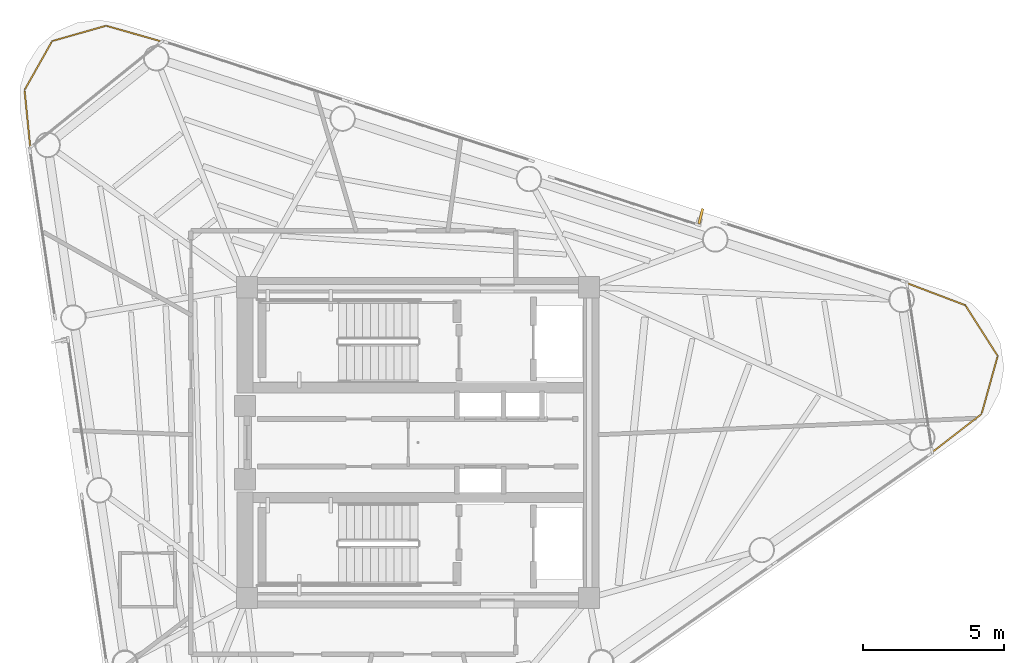
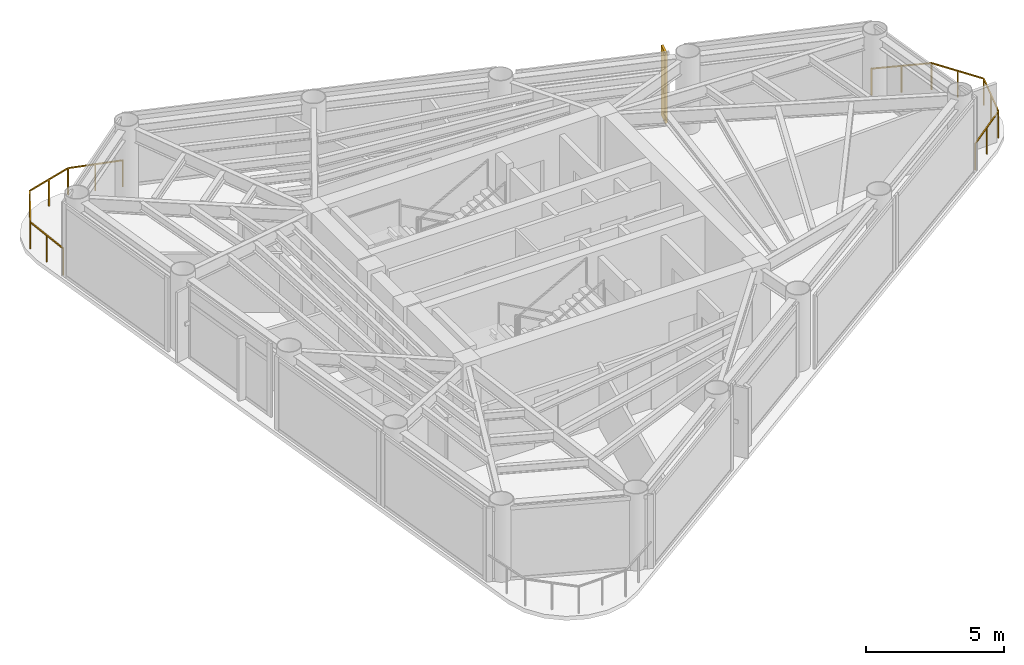
# One storey, part 9 of 9: 2 railings, 1 shading device.
"""IFC4 building model written with IfcOpenShell, lengths in metres."""

from ifc_helpers import new_model, si_unit, direction, frame, origin, origin_2d, place, context, subcontext, project, spatial, rectangle, extrude, source, transform, mapped, material, material_profile, profile_set, type_object, element, save


model = new_model("IFC4")

# Units and contexts
model_context = context("Model", 3, precision=1e-05, world=origin(), true_north=direction((0.0, 1.0)))
body_context = subcontext(model_context, "Body", "Model", "MODEL_VIEW")
ifc_project = project(units=[si_unit("LENGTHUNIT", "METRE"), si_unit("AREAUNIT", "SQUARE_METRE"), si_unit("VOLUMEUNIT", "CUBIC_METRE"), si_unit("PLANEANGLEUNIT", "RADIAN"), si_unit("MASSUNIT", "GRAM", prefix="KILO")], contexts=[model_context])

# Site, building, storey
site_placement = place(None, origin())
site = spatial("IfcSite", under=ifc_project, at=site_placement, CompositionType="ELEMENT")
building_placement = place(site_placement, origin())
building = spatial("IfcBuilding", under=site, at=building_placement, Name="Yunling Apex Tower", CompositionType="ELEMENT")
storey_placement = place(building_placement, frame((0.0, 0.0, 260.949951171875)))
storey = spatial("IfcBuildingStorey", under=building, at=storey_placement, Name="L63", CompositionType="ELEMENT", Elevation=260.949951171875)

# Railings
ifc_material = material(Name="Bronze anodised aluminium", Category="aluminium")
railing_type = type_object("IfcRailingType", Name="RL-BAL-1200", PredefinedType="BALUSTRADE", material=ifc_material)
railing_1_placement = place(storey_placement, frame((17.301513671875, 5.64208984375, 0.0)))
element("IfcRailing", 1, at=railing_1_placement, inside=storey, type_object=railing_type, Name="RL-CRNSILL-L63-1", PredefinedType="BALUSTRADE", context=body_context, shape_type="SweptSolid", body=[
    extrude(rectangle(XDim=0.0439453125, YDim=0.0439453125, at=origin_2d()), origin(), (0.0, 0.0, 1.0), 1.199951171875),
    extrude(rectangle(XDim=0.0439453125, YDim=0.0439453125, at=origin_2d()), frame((2.06103515625, -0.78125, 0.0)), (0.0, 0.0, 1.0), 1.199951171875),
    extrude(rectangle(XDim=0.050048828125, YDim=0.050048828125, at=origin_2d()), frame((0.035888671875, -0.013671875, 1.1748046875), z_axis=(0.935076028929, -0.354447203574, 0.0), x_axis=(0.354447203574, 0.935076028929, 0.0)), (0.0, 0.0, 1.0), 2.12744140625),
    extrude(rectangle(XDim=0.0439453125, YDim=0.0439453125, at=origin_2d()), frame((1.030517578125, -0.390625, 0.0)), (0.0, 0.0, 1.0), 1.14599609375),
    extrude(rectangle(XDim=0.0439453125, YDim=0.0439453125, at=origin_2d()), frame((3.207275390625, -2.576904296875, 0.0)), (0.0, 0.0, 1.0), 1.199951171875),
    extrude(rectangle(XDim=0.050048828125, YDim=0.050048828125, at=origin_2d()), frame((2.08154296875, -0.8134765625, 1.1748046875), z_axis=(0.538061440176, -0.842905621405, 0.0), x_axis=(0.842905621405, 0.538061440176, 0.0)), (0.0, 0.0, 1.0), 2.0537109375),
    extrude(rectangle(XDim=0.0439453125, YDim=0.0439453125, at=origin_2d()), frame((2.63427734375, -1.67919921875, 0.0)), (0.0, 0.0, 1.0), 1.14599609375),
    extrude(rectangle(XDim=0.0439453125, YDim=0.0439453125, at=origin_2d()), frame((2.63623046875, -4.62939453125, 0.0)), (0.0, 0.0, 1.0), 1.199951171875),
    extrude(rectangle(XDim=0.050048828125, YDim=0.050048828125, at=origin_2d()), frame((3.197021484375, -2.61376953125, 1.1748046875), z_axis=(-0.268039837369, -0.963407829314, 0.0), x_axis=(0.963407829314, -0.268039837369, 0.0)), (0.0, 0.0, 1.0), 2.0537109375),
    extrude(rectangle(XDim=0.0439453125, YDim=0.0439453125, at=origin_2d()), frame((2.921875, -3.60302734375, 0.0)), (0.0, 0.0, 1.0), 1.14599609375),
    extrude(rectangle(XDim=0.0439453125, YDim=0.0439453125, at=origin_2d()), frame((0.8935546875, -5.979248046875, 0.0)), (0.0, 0.0, 1.0), 1.199951171875),
    extrude(rectangle(XDim=0.050048828125, YDim=0.050048828125, at=origin_2d()), frame((2.60595703125, -4.65283203125, 1.1748046875), z_axis=(-0.790573223341, -0.612367519172, 0.0), x_axis=(0.612367519172, -0.790573223341, 0.0)), (0.0, 0.0, 1.0), 2.127685546875),
    extrude(rectangle(XDim=0.0439453125, YDim=0.0439453125, at=origin_2d()), frame((1.764892578125, -5.30419921875, 0.0)), (0.0, 0.0, 1.0), 1.14599609375),
])
railing_2_placement = place(storey_placement, frame((-13.722900390625, 10.44091796875, 0.0)))
element("IfcRailing", 2, at=railing_2_placement, inside=storey, type_object=railing_type, Name="RL-CRNSILL-L63-2", PredefinedType="BALUSTRADE", context=body_context, shape_type="SweptSolid", body=[
    extrude(rectangle(XDim=0.0439453125, YDim=0.0439453125, at=origin_2d()), origin(), (0.0, 0.0, 1.0), 1.199951171875),
    extrude(rectangle(XDim=0.0439453125, YDim=0.0439453125, at=origin_2d()), frame((-0.20361328125, 2.0341796875, 0.0)), (0.0, 0.0, 1.0), 1.199951171875),
    extrude(rectangle(XDim=0.050048828125, YDim=0.050048828125, at=origin_2d()), frame((-0.00390625, 0.0380859375, 1.1748046875), z_axis=(-0.099598310599, 0.995027726511, 0.0), x_axis=(-0.995027726511, -0.099598310599, 0.0)), (0.0, 0.0, 1.0), 1.9677734375),
    extrude(rectangle(XDim=0.0439453125, YDim=0.0439453125, at=origin_2d()), frame((-0.101806640625, 1.01708984375, 0.0)), (0.0, 0.0, 1.0), 1.14599609375),
    extrude(rectangle(XDim=0.0439453125, YDim=0.0439453125, at=origin_2d()), frame((0.774169921875, 3.7666015625, 0.0)), (0.0, 0.0, 1.0), 1.199951171875),
    extrude(rectangle(XDim=0.050048828125, YDim=0.050048828125, at=origin_2d()), frame((-0.184814453125, 2.067626953125, 1.1748046875), z_axis=(0.491519311586, 0.870866675409, 0.0), x_axis=(-0.870866675409, 0.491519311586, 0.0)), (0.0, 0.0, 1.0), 1.91259765625),
    extrude(rectangle(XDim=0.0439453125, YDim=0.0439453125, at=origin_2d()), frame((0.28515625, 2.900390625, 0.0)), (0.0, 0.0, 1.0), 1.14599609375),
    extrude(rectangle(XDim=0.0439453125, YDim=0.0439453125, at=origin_2d()), frame((2.68115234375, 4.3095703125, 0.0)), (0.0, 0.0, 1.0), 1.199951171875),
    extrude(rectangle(XDim=0.050048828125, YDim=0.050048828125, at=origin_2d()), frame((0.81103515625, 3.777099609375, 1.1748046875), z_axis=(0.961774454599, 0.273842835364, 0.0), x_axis=(-0.273842835364, 0.961774454599, 0.0)), (0.0, 0.0, 1.0), 1.906005859375),
    extrude(rectangle(XDim=0.0439453125, YDim=0.0439453125, at=origin_2d()), frame((1.7275390625, 4.0380859375, 0.0)), (0.0, 0.0, 1.0), 1.14599609375),
    extrude(rectangle(XDim=0.0439453125, YDim=0.0439453125, at=origin_2d()), frame((4.6484375, 3.7509765625, 0.0)), (0.0, 0.0, 1.0), 1.199951171875),
    extrude(rectangle(XDim=0.050048828125, YDim=0.050048828125, at=origin_2d()), frame((2.718017578125, 4.299072265625, 1.1748046875), z_axis=(0.961973149689, -0.273144026618, 0.0), x_axis=(0.273144026618, 0.961973149689, 0.0)), (0.0, 0.0, 1.0), 1.968505859375),
    extrude(rectangle(XDim=0.0439453125, YDim=0.0439453125, at=origin_2d()), frame((3.664794921875, 4.0302734375, 0.0)), (0.0, 0.0, 1.0), 1.14599609375),
])

# Shading device
ifc_material_profile = material_profile(ifc_material, rectangle(XDim=0.0849609375, YDim=0.550048828125, at=origin_2d()))
ifc_profile_set = profile_set([ifc_material_profile], Name="Bronze anodised aluminium")
shading_device_type = type_object("IfcShadingDeviceType", Name="FN-BRZ-3", PredefinedType="USERDEFINED", material=ifc_profile_set)
shared_shape = source(origin(), body_context, "Body", "SweptSolid", [
    extrude(rectangle(XDim=0.0849609375, YDim=0.550048828125, at=origin_2d()), origin(), (0.0, 0.0, 1.0), 3.10009765625),
])
shading_device_placement = place(storey_placement, frame((10.0048828125, 8.012451171875, 0.06005859375), z_axis=(0.0, 0.0, 1.0), x_axis=(-0.969402520914, 0.245476582274, 0.0)))
element("IfcShadingDevice", 3, at=shading_device_placement, inside=storey, type_object=shading_device_type, Name="CW-L63-F2-B2-FIN-01", ObjectType="FIN", PredefinedType="USERDEFINED", context=body_context, shape_type="MappedRepresentation", body=[
    mapped(shared_shape, transform((0.0, 0.0, 0.0), scale=1.0)),
])

save(model, "model.ifc")
